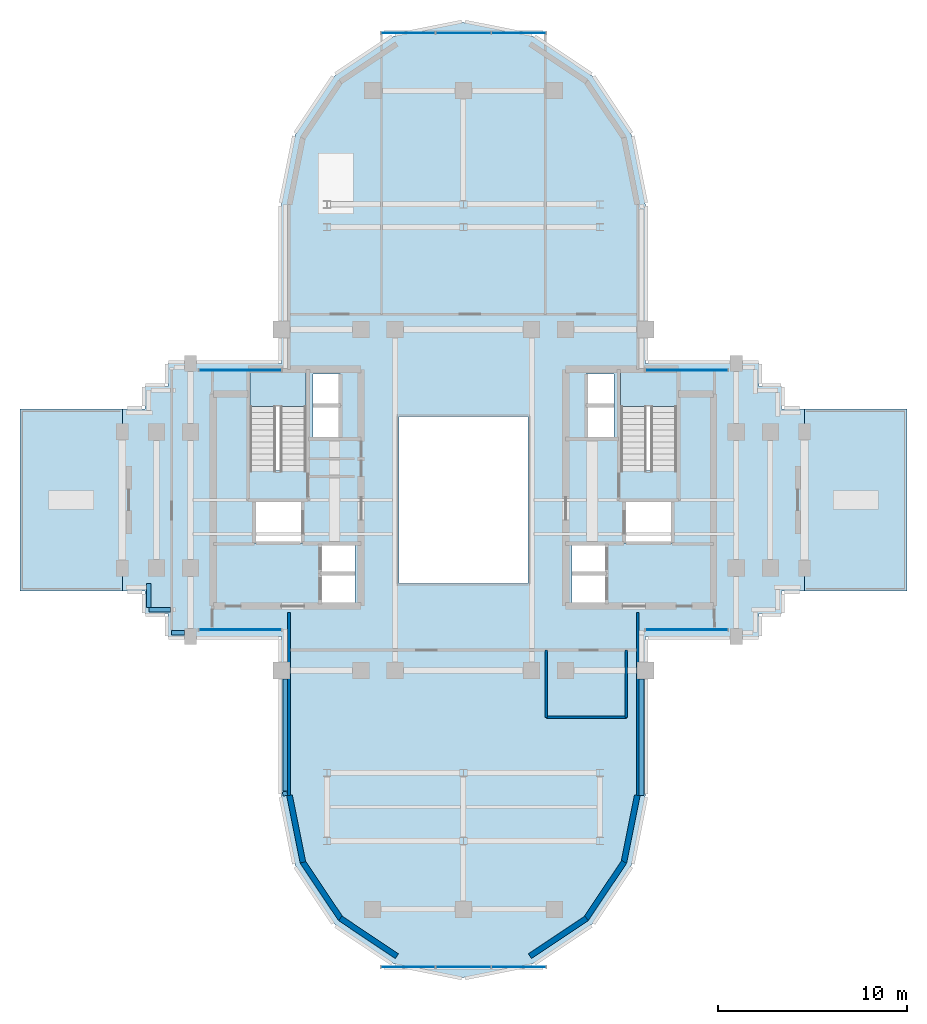
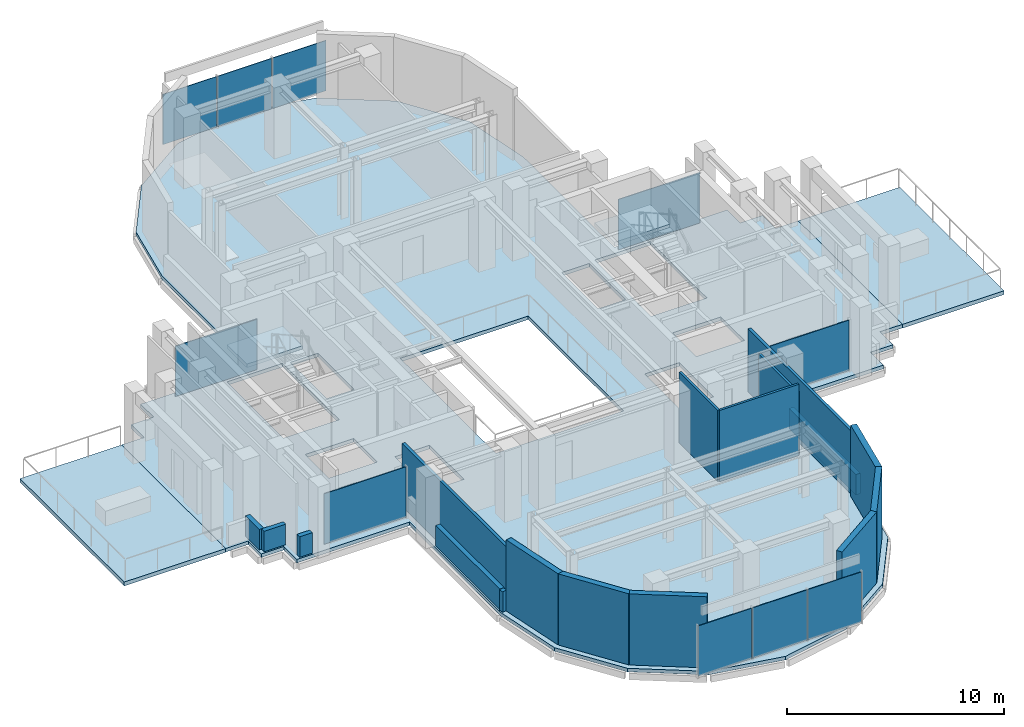
# One storey, part 5 of 12: 17 walls, 10 plates, 5 slabs, 8 elements without a shape of their own.
"""IFC4 building model written with IfcOpenShell, lengths in metres."""

from ifc_helpers import new_model, si_unit, direction, frame, frame_2d, origin, origin_2d, place, context, subcontext, project, spatial, polyline, rectangle, outline, extrude, source, transform, mapped, material, layer, layer_set, type_object, element, aggregate, save


model = new_model("IFC4")

# Units and contexts
model_context = context("Model", 3, precision=1e-05, world=origin(), true_north=direction((0.0, 1.0)))
body_context = subcontext(model_context, "Body", "Model", "MODEL_VIEW")
ifc_project = project(units=[si_unit("LENGTHUNIT", "METRE"), si_unit("AREAUNIT", "SQUARE_METRE"), si_unit("VOLUMEUNIT", "CUBIC_METRE"), si_unit("PLANEANGLEUNIT", "RADIAN"), si_unit("MASSUNIT", "GRAM", prefix="KILO")], contexts=[model_context])

# Site, building, storey
site_placement = place(None, origin())
site = spatial("IfcSite", under=ifc_project, at=site_placement, CompositionType="ELEMENT")
building_placement = place(site_placement, origin())
building = spatial("IfcBuilding", under=site, at=building_placement, Name="Keilestroom Media Tower", CompositionType="ELEMENT")
storey_placement = place(building_placement, frame((0.0, 0.0, 156.199951171875)))
storey = spatial("IfcBuildingStorey", under=building, at=storey_placement, Name="L42", CompositionType="ELEMENT", Elevation=156.199951171875)

# Slabs
ifc_material_1 = material(Name="Concrete C50/60", Category="concrete")
ifc_layer_1 = layer(ifc_material_1, 0.199951171875)
ifc_layer_set_1 = layer_set([ifc_layer_1], Name="Concrete C50/60")
slab_type_1 = type_object("IfcSlabType", Name="Composite-Floor-Slab-200", PredefinedType="FLOOR", material=ifc_layer_set_1)
slab_1_placement = place(storey_placement, frame((0.0, 0.0, -0.199951171875)))
element("IfcSlab", 1, at=slab_1_placement, inside=storey, type_object=slab_type_1, Name="L42 Structural Composite Floor Slab", PredefinedType="FLOOR", context=body_context, shape_type="SweptSolid", body=[
    extrude(outline(polyline([(18.0, -4.800048828125), (18.0, 4.800048828125), (16.800048828125, 4.800048828125), (16.800048828125, 6.0), (15.60009765625, 6.0), (15.60009765625, 7.199951171875), (9.60009765625, 7.199951171875), (9.60009765625, 9.60009765625), (9.60009765625, 15.60009765625), (8.869140625, 19.273681640625), (6.7880859375, 22.38818359375), (3.673828125, 24.46923828125), (0.0, 25.199951171875), (-3.673828125, 24.46923828125), (-6.7880859375, 22.38818359375), (-8.869140625, 19.273681640625), (-9.60009765625, 15.60009765625), (-9.60009765625, 9.60009765625), (-9.60009765625, 7.199951171875), (-15.60009765625, 7.199951171875), (-15.60009765625, 6.0), (-16.800048828125, 6.0), (-16.800048828125, 4.800048828125), (-18.0, 4.800048828125), (-18.0, -4.800048828125), (-16.800048828125, -4.800048828125), (-16.800048828125, -6.0), (-15.60009765625, -6.0), (-15.60009765625, -7.199951171875), (-9.60009765625, -7.199951171875), (-9.60009765625, -9.60009765625), (-9.60009765625, -15.60009765625), (-8.869140625, -19.273681640625), (-6.7880859375, -22.38818359375), (-3.673828125, -24.46923828125), (0.0, -25.199951171875), (3.673828125, -24.46923828125), (6.7880859375, -22.38818359375), (8.869140625, -19.273681640625), (9.60009765625, -15.60009765625), (9.60009765625, -9.60009765625), (9.60009765625, -7.199951171875), (15.60009765625, -7.199951171875), (15.60009765625, -6.0), (16.800048828125, -6.0), (16.800048828125, -4.800048828125), (18.0, -4.800048828125)]), holes=[polyline([(-11.260009765625, 1.544921875), (-11.260009765625, 6.760009765625), (-8.300048828125, 6.760009765625), (-8.300048828125, 1.544921875), (-11.260009765625, 1.544921875)]), polyline([(-11.050048828125, -2.280029296875), (-11.050048828125, -0.10009765625), (-8.47998046875, -0.10009765625), (-8.47998046875, -2.280029296875), (-11.050048828125, -2.280029296875)]), polyline([(-7.949951171875, 3.300048828125), (-7.949951171875, 6.64990234375), (-6.47998046875, 6.64990234375), (-6.47998046875, 3.300048828125), (-7.949951171875, 3.300048828125)]), polyline([(-7.56005859375, -2.320068359375), (-5.719970703125, -2.320068359375), (-5.719970703125, -5.47998046875), (-7.56005859375, -5.47998046875), (-7.56005859375, -2.320068359375)]), polyline([(3.39990234375, -4.39990234375), (-3.39990234375, -4.39990234375), (-3.39990234375, 4.39990234375), (3.39990234375, 4.39990234375), (3.39990234375, -4.39990234375)]), polyline([(7.56005859375, -2.320068359375), (7.56005859375, -5.47998046875), (5.719970703125, -5.47998046875), (5.719970703125, -2.320068359375), (7.56005859375, -2.320068359375)]), polyline([(6.47998046875, 3.300048828125), (6.47998046875, 6.64990234375), (7.949951171875, 6.64990234375), (7.949951171875, 3.300048828125), (6.47998046875, 3.300048828125)]), polyline([(8.300048828125, 1.544921875), (8.300048828125, 6.760009765625), (11.260009765625, 6.760009765625), (11.260009765625, 1.544921875), (8.300048828125, 1.544921875)]), polyline([(8.47998046875, -2.280029296875), (8.47998046875, -0.10009765625), (11.050048828125, -0.10009765625), (11.050048828125, -2.280029296875), (8.47998046875, -2.280029296875)])]), origin(), (0.0, 0.0, 1.0), 0.199951171875),
])
ifc_material_2 = material(Name="Concrete C45/55", Category="concrete")
ifc_layer_2 = layer(ifc_material_2, 0.219970703125)
ifc_layer_set_2 = layer_set([ifc_layer_2], Name="Concrete C45/55")
slab_type_2 = type_object("IfcSlabType", Name="Exterior-Terrace-And-Sky-Garden-Slab-220", PredefinedType="FLOOR", material=ifc_layer_set_2)
slab_2_placement = place(storey_placement, frame((0.0, 0.0, -0.219970703125)))
element("IfcSlab", 2, at=slab_2_placement, inside=storey, type_object=slab_type_2, Name="L42 Planted Sky-Garden Terrace Slab L42-SKYGARDEN-W", PredefinedType="FLOOR", context=body_context, shape_type="SweptSolid", body=[
    extrude(outline(polyline([(-23.39990234375, -4.800048828125), (-18.0, -4.800048828125), (-18.0, 4.800048828125), (-23.39990234375, 4.800048828125), (-23.39990234375, -4.800048828125)])), origin(), (0.0, 0.0, 1.0), 0.219970703125),
])
slab_3_placement = place(storey_placement, frame((0.0, 0.0, -0.219970703125)))
element("IfcSlab", 3, at=slab_3_placement, inside=storey, type_object=slab_type_2, Name="L42 Planted Sky-Garden Terrace Slab L42-SKYGARDEN-E", PredefinedType="FLOOR", context=body_context, shape_type="SweptSolid", body=[
    extrude(outline(polyline([(18.0, -4.800048828125), (23.39990234375, -4.800048828125), (23.39990234375, 4.800048828125), (18.0, 4.800048828125), (18.0, -4.800048828125)])), origin(), (0.0, 0.0, 1.0), 0.219970703125),
])

# Stair, slab
stair_type = type_object("IfcStairType", Name="Enclosed-Dog-Leg-Stair-ST-CORE", PredefinedType="HALF_TURN_STAIR", material=ifc_material_2)
stair_1_placement = place(storey_placement, origin())
stair_1 = element("IfcStair", 4, at=stair_1_placement, inside=storey, type_object=stair_type, Name="L42 West Core Escape Stair ST-1", PredefinedType="HALF_TURN_STAIR")
ifc_layer_3 = layer(ifc_material_2, 0.199951171875)
ifc_layer_set_3 = layer_set([ifc_layer_3], Name="Concrete C45/55")
slab_type_3 = type_object("IfcSlabType", Name="Stair-Intermediate-And-Top-Landing-Slab-200", PredefinedType="LANDING", material=ifc_layer_set_3)
slab_4_placement = place(storey_placement, frame((0.0, 0.0, 1.900146484375)))
slab_4 = element("IfcSlab", 5, at=slab_4_placement, type_object=slab_type_3, Name="ST-1 landing 1", PredefinedType="LANDING", context=body_context, shape_type="SweptSolid", body=[
    extrude(outline(polyline([(-8.300048828125, 4.931884765625), (-8.300048828125, 6.760009765625), (-11.260009765625, 6.760009765625), (-11.260009765625, 4.931884765625), (-8.300048828125, 4.931884765625)])), origin(), (0.0, 0.0, 1.0), 0.199951171875),
])
aggregate(stair_1, [slab_4])

stair_2_placement = place(storey_placement, origin())
stair_2 = element("IfcStair", 6, at=stair_2_placement, inside=storey, type_object=stair_type, Name="L42 East Core Escape Stair ST-2", PredefinedType="HALF_TURN_STAIR")
slab_5_placement = place(storey_placement, frame((0.0, 0.0, 1.900146484375)))
slab_5 = element("IfcSlab", 7, at=slab_5_placement, type_object=slab_type_3, Name="ST-2 landing 1", PredefinedType="LANDING", context=body_context, shape_type="SweptSolid", body=[
    extrude(outline(polyline([(11.260009765625, 4.931884765625), (11.260009765625, 6.760009765625), (8.300048828125, 6.760009765625), (8.300048828125, 4.931884765625), (11.260009765625, 4.931884765625)])), origin(), (0.0, 0.0, 1.0), 0.199951171875),
])
aggregate(stair_2, [slab_5])

# Curtain wall, plates
ifc_material_3 = material(Name="Anodised Aluminium Alloy", Category="aluminium")
curtain_wall_type_1 = type_object("IfcCurtainWallType", Name="Unitised-Curtain-Wall-CW-6", PredefinedType="NOTDEFINED", material=ifc_material_3)
curtain_wall_1_placement = place(storey_placement, origin())
curtain_wall_1 = element("IfcCurtainWall", 8, at=curtain_wall_1_placement, inside=storey, type_object=curtain_wall_type_1, Name="L42 Curtain Wall CW-6 CW-L42-LN-1", PredefinedType="NOTDEFINED")
ifc_material_4 = material(Name="Curved-Facet Triple Glazed Unit", Category="glass")
ifc_layer_4 = layer(ifc_material_4, 0.033935546875)
ifc_layer_set_4 = layer_set([ifc_layer_4], Name="Curved-Facet Triple Glazed Unit")
plate_type_1 = type_object("IfcPlateType", Name="Insulated-Curtain-Wall-Glazing-Panel-CW-6", PredefinedType="CURTAIN_PANEL", material=ifc_layer_set_4)
shared_shape_1 = source(origin(), body_context, "Body", "SweptSolid", [
    extrude(rectangle(XDim=2.84375, YDim=0.033935546875, at=origin_2d()), origin(), (0.0, 0.0, 1.0), 2.833984375),
])
plate_1_placement = place(storey_placement, frame((-2.9169921875, 24.64990234375, 0.072998046875), z_axis=(0.0, 0.0, 1.0), x_axis=(1.0, 0.0, 0.0)))
plate_1 = element("IfcPlate", 9, at=plate_1_placement, type_object=plate_type_1, Name="CW-6 Unitised Glazing 00", PredefinedType="CURTAIN_PANEL", context=body_context, shape_type="MappedRepresentation", body=[
    mapped(shared_shape_1, transform((0.0, 0.0, 0.0), x_axis=(1.0, 0.0, 0.0), y_axis=(0.0, 1.0, 0.0), z_axis=(0.0, 0.0, 1.0), scale=1.0)),
])
plate_2_placement = place(storey_placement, frame((2.9169921875, 24.64990234375, 0.072998046875), z_axis=(0.0, 0.0, 1.0), x_axis=(1.0, 0.0, 0.0)))
plate_2 = element("IfcPlate", 10, at=plate_2_placement, type_object=plate_type_1, Name="CW-6 Unitised Glazing 02", PredefinedType="CURTAIN_PANEL", context=body_context, shape_type="MappedRepresentation", body=[
    mapped(shared_shape_1, transform((0.0, 0.0, 0.0), x_axis=(1.0, 0.0, 0.0), y_axis=(0.0, 1.0, 0.0), z_axis=(0.0, 0.0, 1.0), scale=1.0)),
])

curtain_wall_2_placement = place(storey_placement, origin())
curtain_wall_2 = element("IfcCurtainWall", 11, at=curtain_wall_2_placement, inside=storey, type_object=curtain_wall_type_1, Name="L42 Curtain Wall CW-6 CW-L42-LS-1", PredefinedType="NOTDEFINED")
plate_3_placement = place(storey_placement, frame((-2.9169921875, -24.64990234375, 0.072998046875), z_axis=(0.0, 0.0, 1.0), x_axis=(1.0, 0.0, 0.0)))
plate_3 = element("IfcPlate", 12, at=plate_3_placement, type_object=plate_type_1, Name="CW-6 Unitised Glazing 00", PredefinedType="CURTAIN_PANEL", context=body_context, shape_type="MappedRepresentation", body=[
    mapped(shared_shape_1, transform((0.0, 0.0, 0.0), x_axis=(1.0, 0.0, 0.0), y_axis=(0.0, 1.0, 0.0), z_axis=(0.0, 0.0, 1.0), scale=1.0)),
])
plate_4_placement = place(storey_placement, frame((2.9169921875, -24.64990234375, 0.072998046875), z_axis=(0.0, 0.0, 1.0), x_axis=(1.0, 0.0, 0.0)))
plate_4 = element("IfcPlate", 13, at=plate_4_placement, type_object=plate_type_1, Name="CW-6 Unitised Glazing 02", PredefinedType="CURTAIN_PANEL", context=body_context, shape_type="MappedRepresentation", body=[
    mapped(shared_shape_1, transform((0.0, 0.0, 0.0), x_axis=(1.0, 0.0, 0.0), y_axis=(0.0, 1.0, 0.0), z_axis=(0.0, 0.0, 1.0), scale=1.0)),
])

# Plate
shared_shape_2 = source(origin(), body_context, "Body", "SweptSolid", [
    extrude(rectangle(XDim=2.876220703125, YDim=0.033935546875, at=origin_2d()), origin(), (0.0, 0.0, 1.0), 2.833984375),
])
plate_5_placement = place(storey_placement, frame((0.0, 24.64990234375, 0.072998046875), z_axis=(0.0, 0.0, 1.0), x_axis=(1.0, 0.0, 0.0)))
plate_5 = element("IfcPlate", 14, at=plate_5_placement, type_object=plate_type_1, Name="CW-6 Unitised Glazing 01", PredefinedType="CURTAIN_PANEL", context=body_context, shape_type="MappedRepresentation", body=[
    mapped(shared_shape_2, transform((0.0, 0.0, 0.0), x_axis=(1.0, 0.0, 0.0), y_axis=(0.0, 1.0, 0.0), z_axis=(0.0, 0.0, 1.0), scale=1.0)),
])

aggregate(curtain_wall_1, [plate_1, plate_5, plate_2])

plate_6_placement = place(storey_placement, frame((0.0, -24.64990234375, 0.072998046875), z_axis=(0.0, 0.0, 1.0), x_axis=(1.0, 0.0, 0.0)))
plate_6 = element("IfcPlate", 15, at=plate_6_placement, type_object=plate_type_1, Name="CW-6 Unitised Glazing 01", PredefinedType="CURTAIN_PANEL", context=body_context, shape_type="MappedRepresentation", body=[
    mapped(shared_shape_2, transform((0.0, 0.0, 0.0), x_axis=(1.0, 0.0, 0.0), y_axis=(0.0, 1.0, 0.0), z_axis=(0.0, 0.0, 1.0), scale=1.0)),
])

aggregate(curtain_wall_2, [plate_3, plate_6, plate_4])

# Curtain wall, plate
curtain_wall_type_2 = type_object("IfcCurtainWallType", Name="Unitised-Curtain-Wall-CW-3", PredefinedType="NOTDEFINED", material=ifc_material_3)
curtain_wall_3_placement = place(storey_placement, origin())
curtain_wall_3 = element("IfcCurtainWall", 16, at=curtain_wall_3_placement, inside=storey, type_object=curtain_wall_type_2, Name="L42 Curtain Wall CW-3 CW-L42-NW-1", PredefinedType="NOTDEFINED")
ifc_material_5 = material(Name="Triple Glazed Acoustic Low-E Unit", Category="glass")
ifc_layer_5 = layer(ifc_material_5, 0.0380859375)
ifc_layer_set_5 = layer_set([ifc_layer_5], Name="Triple Glazed Acoustic Low-E Unit")
plate_type_2 = type_object("IfcPlateType", Name="Insulated-Curtain-Wall-Glazing-Panel-CW-3", PredefinedType="CURTAIN_PANEL", material=ifc_layer_set_5)
shared_shape_3 = source(origin(), body_context, "Body", "SweptSolid", [
    extrude(rectangle(XDim=4.343017578125, YDim=0.0380859375, at=origin_2d()), origin(), (0.0, 0.0, 1.0), 2.833984375),
])
plate_7_placement = place(storey_placement, frame((-11.782470703125, 6.85009765625, 0.072998046875), z_axis=(0.0, 0.0, 1.0), x_axis=(1.0, 0.0, 0.0)))
plate_7 = element("IfcPlate", 17, at=plate_7_placement, type_object=plate_type_2, Name="CW-3 Unitised Glazing 00", PredefinedType="CURTAIN_PANEL", context=body_context, shape_type="MappedRepresentation", body=[
    mapped(shared_shape_3, transform((0.0, 0.0, 0.0), x_axis=(1.0, 0.0, 0.0), y_axis=(0.0, 1.0, 0.0), z_axis=(0.0, 0.0, 1.0), scale=1.0)),
])
aggregate(curtain_wall_3, [plate_7])

curtain_wall_4_placement = place(storey_placement, origin())
curtain_wall_4 = element("IfcCurtainWall", 18, at=curtain_wall_4_placement, inside=storey, type_object=curtain_wall_type_2, Name="L42 Curtain Wall CW-3 CW-L42-NE-1", PredefinedType="NOTDEFINED")
plate_8_placement = place(storey_placement, frame((11.782470703125, 6.85009765625, 0.072998046875), z_axis=(0.0, 0.0, 1.0), x_axis=(1.0, 0.0, 0.0)))
plate_8 = element("IfcPlate", 19, at=plate_8_placement, type_object=plate_type_2, Name="CW-3 Unitised Glazing 00", PredefinedType="CURTAIN_PANEL", context=body_context, shape_type="MappedRepresentation", body=[
    mapped(shared_shape_3, transform((0.0, 0.0, 0.0), x_axis=(1.0, 0.0, 0.0), y_axis=(0.0, 1.0, 0.0), z_axis=(0.0, 0.0, 1.0), scale=1.0)),
])
aggregate(curtain_wall_4, [plate_8])

curtain_wall_5_placement = place(storey_placement, origin())
curtain_wall_5 = element("IfcCurtainWall", 20, at=curtain_wall_5_placement, inside=storey, type_object=curtain_wall_type_2, Name="L42 Curtain Wall CW-3 CW-L42-SW-1", PredefinedType="NOTDEFINED")
plate_9_placement = place(storey_placement, frame((-11.782470703125, -6.85009765625, 0.072998046875), z_axis=(0.0, 0.0, 1.0), x_axis=(1.0, 0.0, 0.0)))
plate_9 = element("IfcPlate", 21, at=plate_9_placement, type_object=plate_type_2, Name="CW-3 Unitised Glazing 00", PredefinedType="CURTAIN_PANEL", context=body_context, shape_type="MappedRepresentation", body=[
    mapped(shared_shape_3, transform((0.0, 0.0, 0.0), x_axis=(1.0, 0.0, 0.0), y_axis=(0.0, 1.0, 0.0), z_axis=(0.0, 0.0, 1.0), scale=1.0)),
])
aggregate(curtain_wall_5, [plate_9])

curtain_wall_6_placement = place(storey_placement, origin())
curtain_wall_6 = element("IfcCurtainWall", 22, at=curtain_wall_6_placement, inside=storey, type_object=curtain_wall_type_2, Name="L42 Curtain Wall CW-3 CW-L42-SE-1", PredefinedType="NOTDEFINED")
plate_10_placement = place(storey_placement, frame((11.782470703125, -6.85009765625, 0.072998046875), z_axis=(0.0, 0.0, 1.0), x_axis=(1.0, 0.0, 0.0)))
plate_10 = element("IfcPlate", 23, at=plate_10_placement, type_object=plate_type_2, Name="CW-3 Unitised Glazing 00", PredefinedType="CURTAIN_PANEL", context=body_context, shape_type="MappedRepresentation", body=[
    mapped(shared_shape_3, transform((0.0, 0.0, 0.0), x_axis=(1.0, 0.0, 0.0), y_axis=(0.0, 1.0, 0.0), z_axis=(0.0, 0.0, 1.0), scale=1.0)),
])
aggregate(curtain_wall_6, [plate_10])

# Walls
ifc_material_6 = material(Name="Precast concrete C40/50", Category="concrete")
ifc_layer_6 = layer(ifc_material_6, 0.300048828125)
ifc_layer_set_6 = layer_set([ifc_layer_6], Name="Precast concrete C40/50")
wall_type_1 = type_object("IfcWallType", Name="Exterior-Masonry-Spandrel-Wall-300", PredefinedType="SOLIDWALL", material=ifc_layer_set_6)
for number, where, z_axis, x_axis, name in (
    (24, (-9.1748046875, -15.585205078125, 0.0), (0.0, 0.0, 1.0), (0.195114232679, -0.980780523974, 0.0), "L42 Lobe Facet Precast Frame Wall 07"),
    (25, (-8.48193359375, -19.097412109375, 0.0), (0.0, 0.0, 1.0), (0.555574187116, -0.831466970246, 0.0), "L42 Lobe Facet Precast Frame Wall 08"),
):
    element("IfcWall", number, at=place(storey_placement, frame(where, z_axis=z_axis, x_axis=x_axis)), inside=storey, type_object=wall_type_1, Name=name, PredefinedType="SOLIDWALL", context=body_context, shape_type="SweptSolid", body=[
        extrude(rectangle(XDim=3.608642578125, YDim=0.300048828125, at=frame_2d((1.80419921875, 0.0))), origin(), (0.0, 0.0, 1.0), 4.0),
    ])
for number, where, z_axis, x_axis, name in (
    (26, (-6.497802734375, -22.0771484375, 0.0), (0.0, 0.0, 1.0), (0.8314749531, -0.555562239868, 0.0), "L42 Lobe Facet Precast Frame Wall 09"),
    (27, (3.510009765625, -24.073486328125, 0.0), (0.0, 0.0, 1.0), (0.8314749531, 0.555562239868, 0.0), "L42 Lobe Facet Precast Frame Wall 10"),
):
    element("IfcWall", number, at=place(storey_placement, frame(where, z_axis=z_axis, x_axis=x_axis)), inside=storey, type_object=wall_type_1, Name=name, PredefinedType="SOLIDWALL", context=body_context, shape_type="SweptSolid", body=[
        extrude(rectangle(XDim=3.59326171875, YDim=0.300048828125, at=frame_2d((1.796630859375, 0.0))), origin(), (0.0, 0.0, 1.0), 4.0),
    ])
for number, where, z_axis, x_axis, name in (
    (28, (6.47705078125, -22.097900390625, 0.0), (0.0, 0.0, 1.0), (0.555574187116, 0.831466970246, 0.0), "L42 Lobe Facet Precast Frame Wall 11"),
    (29, (8.470703125, -19.12451171875, 0.0), (0.0, 0.0, 1.0), (0.195114232679, 0.980780523974, 0.0), "L42 Lobe Facet Precast Frame Wall 12"),
):
    element("IfcWall", number, at=place(storey_placement, frame(where, z_axis=z_axis, x_axis=x_axis)), inside=storey, type_object=wall_type_1, Name=name, PredefinedType="SOLIDWALL", context=body_context, shape_type="SweptSolid", body=[
        extrude(rectangle(XDim=3.608642578125, YDim=0.300048828125, at=frame_2d((1.80419921875, 0.0))), origin(), (0.0, 0.0, 1.0), 4.0),
    ])
ifc_material_7 = material(Name="Gypsum Plasterboard & Steel Stud", Category="steel")
ifc_layer_7 = layer(ifc_material_7, 0.1201171875)
ifc_layer_set_7 = layer_set([ifc_layer_7], Name="Gypsum Plasterboard & Steel Stud")
wall_type_2 = type_object("IfcWallType", Name="Interior-Partition-Wall-120", PredefinedType="PARTITIONING", material=ifc_layer_set_7)
wall_1_placement = place(storey_placement, frame((4.3798828125, -11.469970703125, 0.0), z_axis=(0.0, 0.0, 1.0), x_axis=(1.0, 0.0, 0.0)))
element("IfcWall", 30, at=wall_1_placement, inside=storey, type_object=wall_type_2, Name="L42 Interior Wall WP-L42-SL-WC-S", PredefinedType="PARTITIONING", context=body_context, shape_type="SweptSolid", body=[
    extrude(rectangle(XDim=4.22021484375, YDim=0.1201171875, at=frame_2d((2.110107421875, 0.0))), origin(), (0.0, 0.0, 1.0), 4.0),
])
wall_2_placement = place(storey_placement, frame((4.3798828125, -11.469970703125, 0.0), z_axis=(0.0, 0.0, 1.0), x_axis=(0.0, 1.0, 0.0)))
element("IfcWall", 31, at=wall_2_placement, inside=storey, type_object=wall_type_2, Name="L42 Interior Wall WP-L42-SL-WC-W", PredefinedType="PARTITIONING", context=body_context, shape_type="SweptSolid", body=[
    extrude(rectangle(XDim=3.550048828125, YDim=0.1201171875, at=frame_2d((1.77490234375, 0.0))), origin(), (0.0, 0.0, 1.0), 4.0),
])
wall_3_placement = place(storey_placement, frame((8.60009765625, -11.469970703125, 0.0), z_axis=(0.0, 0.0, 1.0), x_axis=(0.0, 1.0, 0.0)))
element("IfcWall", 32, at=wall_3_placement, inside=storey, type_object=wall_type_2, Name="L42 Interior Wall WP-L42-SL-WC-E", PredefinedType="PARTITIONING", context=body_context, shape_type="SweptSolid", body=[
    extrude(rectangle(XDim=3.550048828125, YDim=0.1201171875, at=frame_2d((1.77490234375, 0.0))), origin(), (0.0, 0.0, 1.0), 3.550048828125),
])
ifc_layer_8 = layer(ifc_material_7, 0.14990234375)
ifc_layer_set_8 = layer_set([ifc_layer_8], Name="Gypsum Plasterboard & Steel Stud")
wall_type_3 = type_object("IfcWallType", Name="Interior-Partition-Wall-150", PredefinedType="PARTITIONING", material=ifc_layer_set_8)
for number, where, z_axis, x_axis, name in (
    (33, (-9.199951171875, -15.679931640625, 0.0), (0.0, 0.0, 1.0), (0.0, 1.0, 0.0), "L42 Interior Wall WP-L42-SL-CHKW"),
    (34, (9.199951171875, -15.679931640625, 0.0), (0.0, 0.0, 1.0), (0.0, 1.0, 0.0), "L42 Interior Wall WP-L42-SL-CHKE"),
):
    element("IfcWall", number, at=place(storey_placement, frame(where, z_axis=z_axis, x_axis=x_axis)), inside=storey, type_object=wall_type_3, Name=name, PredefinedType="PARTITIONING", context=body_context, shape_type="SweptSolid", body=[
        extrude(rectangle(XDim=9.739990234375, YDim=0.14990234375, at=frame_2d((4.8701171875, 0.0))), origin(), (0.0, 0.0, 1.0), 3.550048828125),
    ])
ifc_layer_9 = layer(ifc_material_6, 0.239990234375)
ifc_layer_set_9 = layer_set([ifc_layer_9], Name="Precast concrete C40/50")
wall_type_4 = type_object("IfcWallType", Name="Roof-And-Terrace-Parapet-Wall-240", PredefinedType="PARAPET", material=ifc_layer_set_9)
wall_4_placement = place(storey_placement, frame((9.39990234375, -9.452880859375, 0.0), z_axis=(0.0, 0.0, 1.0), x_axis=(0.0, -1.0, 0.0)))
element("IfcWall", 35, at=wall_4_placement, inside=storey, type_object=wall_type_4, Name="L42 Perimeter Edge Parapet Wall 08", PredefinedType="PARAPET", context=body_context, shape_type="SweptSolid", body=[
    extrude(rectangle(XDim=6.14990234375, YDim=0.239990234375, at=frame_2d((3.074951171875, 0.0))), origin(), (0.0, 0.0, 1.0), 1.150146484375),
])
wall_5_placement = place(storey_placement, frame((-9.395263671875, -15.604248046875, 0.0), z_axis=(0.0, 0.0, 1.0), x_axis=(-0.194652052864, 0.980872355771, 0.0)))
element("IfcWall", 36, at=wall_5_placement, inside=storey, type_object=wall_type_4, Name="L42 Perimeter Edge Parapet Wall 09", PredefinedType="PARAPET", context=body_context, shape_type="SweptSolid", body=[
    extrude(rectangle(XDim=0.224609375, YDim=0.239990234375, at=frame_2d((0.1123046875, 0.0))), origin(), (0.0, 0.0, 1.0), 1.150146484375),
])
wall_6_placement = place(storey_placement, frame((-9.39990234375, -15.357666015625, 0.0), z_axis=(0.0, 0.0, 1.0), x_axis=(0.0, 1.0, 0.0)))
element("IfcWall", 37, at=wall_6_placement, inside=storey, type_object=wall_type_4, Name="L42 Perimeter Edge Parapet Wall 10", PredefinedType="PARAPET", context=body_context, shape_type="SweptSolid", body=[
    extrude(rectangle(XDim=5.90478515625, YDim=0.239990234375, at=frame_2d((2.952392578125, 0.0))), origin(), (0.0, 0.0, 1.0), 1.150146484375),
])
wall_7_placement = place(storey_placement, frame((-14.72802734375, -7.0, 0.0), z_axis=(0.0, 0.0, 1.0), x_axis=(-1.0, 0.0, 0.0)))
element("IfcWall", 38, at=wall_7_placement, inside=storey, type_object=wall_type_4, Name="L42 Perimeter Edge Parapet Wall 12", PredefinedType="PARAPET", context=body_context, shape_type="SweptSolid", body=[
    extrude(rectangle(XDim=0.671875, YDim=0.239990234375, at=frame_2d((0.3359375, 0.0))), origin(), (0.0, 0.0, 1.0), 1.150146484375),
])
wall_8_placement = place(storey_placement, frame((-15.452880859375, -5.800048828125, 0.0), z_axis=(0.0, 0.0, 1.0), x_axis=(-1.0, 0.0, 0.0)))
element("IfcWall", 39, at=wall_8_placement, inside=storey, type_object=wall_type_4, Name="L42 Perimeter Edge Parapet Wall 14", PredefinedType="PARAPET", context=body_context, shape_type="SweptSolid", body=[
    extrude(rectangle(XDim=1.147216796875, YDim=0.239990234375, at=frame_2d((0.57373046875, 0.0))), origin(), (0.0, 0.0, 1.0), 1.150146484375),
])
wall_9_placement = place(storey_placement, frame((-16.60009765625, -5.677001953125, 0.0), z_axis=(0.0, 0.0, 1.0), x_axis=(0.0, 1.0, 0.0)))
element("IfcWall", 40, at=wall_9_placement, inside=storey, type_object=wall_type_4, Name="L42 Perimeter Edge Parapet Wall 15", PredefinedType="PARAPET", context=body_context, shape_type="SweptSolid", body=[
    extrude(rectangle(XDim=1.277099609375, YDim=0.239990234375, at=frame_2d((0.638671875, 0.0))), origin(), (0.0, 0.0, 1.0), 1.150146484375),
])

save(model, "model.ifc")
